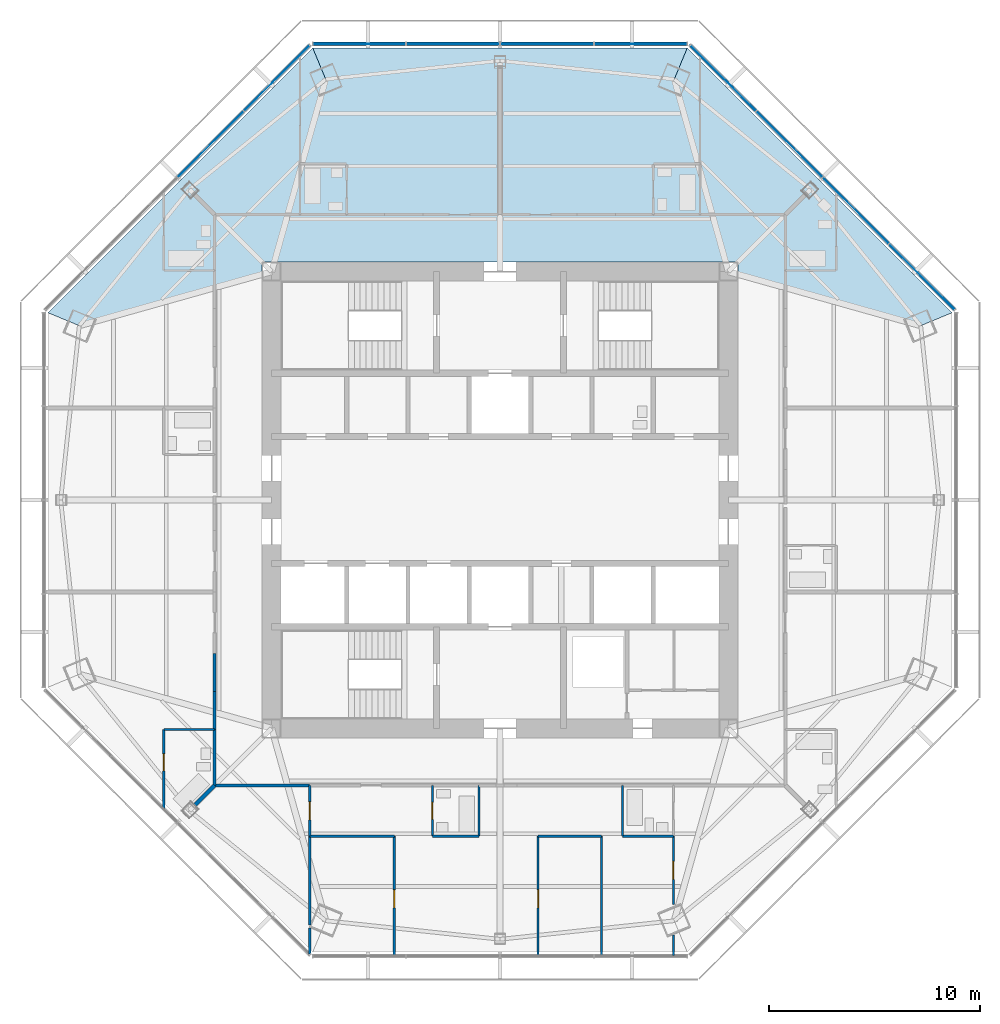
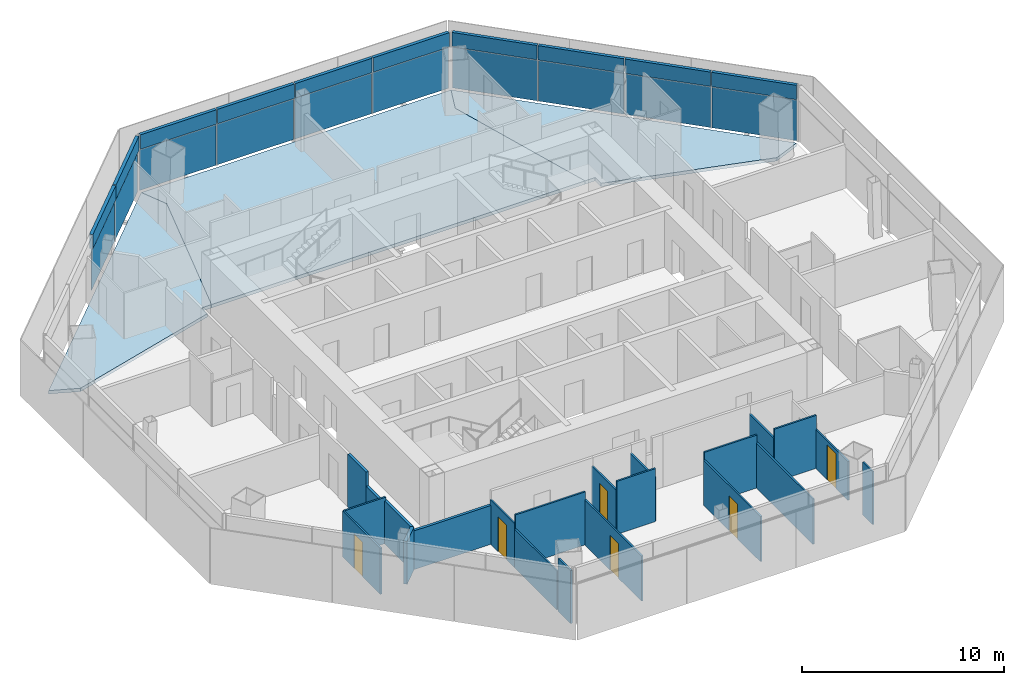
# One storey, part 8 of 15: 22 walls, 20 plates, 6 doors, 3 slabs, 6 openings, 3 elements without a shape of their own.
"""IFC4 building model written with IfcOpenShell, lengths in metres."""

from ifc_helpers import new_model, si_unit, direction, frame, frame_2d, origin, origin_2d, place, context, subcontext, project, spatial, polyline, rectangle, outline, extrude, source, transform, mapped, material, layer, layer_set, type_object, type_shapes, element, fill, aggregate, save


model = new_model("IFC4")

# Units and contexts
model_context = context("Model", 3, precision=1e-05, world=origin(), true_north=direction((0.0, 1.0)))
body_context = subcontext(model_context, "Body", "Model", "MODEL_VIEW")
ifc_project = project(units=[si_unit("LENGTHUNIT", "METRE"), si_unit("AREAUNIT", "SQUARE_METRE"), si_unit("VOLUMEUNIT", "CUBIC_METRE"), si_unit("PLANEANGLEUNIT", "RADIAN"), si_unit("MASSUNIT", "GRAM", prefix="KILO")], contexts=[model_context])

# Site, building, storey
site_placement = place(None, origin())
site = spatial("IfcSite", under=ifc_project, at=site_placement, CompositionType="ELEMENT")
building_placement = place(site_placement, origin())
building = spatial("IfcBuilding", under=site, at=building_placement, Name="Mashrafa Tower", CompositionType="ELEMENT")
storey_placement = place(building_placement, frame((0.0, 0.0, 227.800048828125)))
storey = spatial("IfcBuildingStorey", under=building, at=storey_placement, Name="L53", CompositionType="ELEMENT", Elevation=227.800048828125)

# Slabs
ifc_material_1 = material(Name="Concrete C35/45", Category="concrete")
ifc_layer_1 = layer(ifc_material_1, 0.199951171875)
ifc_layer_set_1 = layer_set([ifc_layer_1], Name="Floor slab 200")
slab_type = type_object("IfcSlabType", Name="Floor slab 200", PredefinedType="FLOOR", material=ifc_layer_set_1)
slab_1_placement = place(storey_placement, frame((0.0, 0.0, -0.199951171875)))
element("IfcSlab", 1, at=slab_1_placement, inside=storey, type_object=slab_type, Name="Floor slab L53 north-east bay", PredefinedType="FLOOR", context=body_context, shape_type="SweptSolid", body=[
    extrude(outline(polyline([(8.85205078125, 21.37060546875), (21.37060546875, 8.85205078125), (21.37060546875, 8.85205078125), (19.89794921875, 8.241943359375), (11.25, 10.673583984375), (11.25, 11.25), (10.673583984375, 11.25), (8.241943359375, 19.89794921875), (8.85205078125, 21.37060546875), (8.85205078125, 21.37060546875)])), origin(), (0.0, 0.0, 1.0), 0.199951171875),
])
slab_2_placement = place(storey_placement, frame((0.0, 0.0, -0.199951171875)))
element("IfcSlab", 2, at=slab_2_placement, inside=storey, type_object=slab_type, Name="Floor slab L53 north bay", PredefinedType="FLOOR", context=body_context, shape_type="SweptSolid", body=[
    extrude(outline(polyline([(8.85205078125, 21.37060546875), (8.241943359375, 19.89794921875), (10.673583984375, 11.25), (-10.673583984375, 11.25), (-8.241943359375, 19.89794921875), (-8.85205078125, 21.37060546875), (8.85205078125, 21.37060546875)])), origin(), (0.0, 0.0, 1.0), 0.199951171875),
])
slab_3_placement = place(storey_placement, frame((0.0, 0.0, -0.199951171875)))
element("IfcSlab", 3, at=slab_3_placement, inside=storey, type_object=slab_type, Name="Floor slab L53 north-west bay", PredefinedType="FLOOR", context=body_context, shape_type="SweptSolid", body=[
    extrude(outline(polyline([(-21.37060546875, 8.85205078125), (-8.85205078125, 21.37060546875), (-8.85205078125, 21.37060546875), (-8.241943359375, 19.89794921875), (-10.673583984375, 11.25), (-11.25, 11.25), (-11.25, 10.673583984375), (-19.89794921875, 8.241943359375), (-21.37060546875, 8.85205078125), (-21.37060546875, 8.85205078125)])), origin(), (0.0, 0.0, 1.0), 0.199951171875),
])

# Curtain wall, plates
ifc_material_2 = material(Name="Unitised aluminium curtain wall", Category="aluminium")
curtain_wall_type = type_object("IfcCurtainWallType", Name="Apartment curtain wall, zone 3 CW-C 180 deep", PredefinedType="NOTDEFINED", material=ifc_material_2)
curtain_wall_1_placement = place(storey_placement, origin())
curtain_wall_1 = element("IfcCurtainWall", 4, at=curtain_wall_1_placement, inside=storey, type_object=curtain_wall_type, Name="Apartment curtain wall, zone 3 L53 north-east", PredefinedType="NOTDEFINED")
ifc_material_3 = material(Name="Insulated double glazing, acoustic", Category="glass")
ifc_layer_2 = layer(ifc_material_3, 0.028076171875)
ifc_layer_set_2 = layer_set([ifc_layer_2], Name="Vision panel CW-C 28")
plate_type_1 = type_object("IfcPlateType", Name="Vision panel CW-C 28", PredefinedType="CURTAIN_PANEL", material=ifc_layer_set_2)
shared_shape_1 = source(origin(), body_context, "Body", "SweptSolid", [
    extrude(rectangle(XDim=4.353759765625, YDim=0.028076171875, at=origin_2d()), origin(), (0.0, 0.0, 1.0), 2.46240234375),
])
plate_1_placement = place(storey_placement, frame((19.955322265625, 10.550048828125, 0.0), z_axis=(0.0, 0.0, 1.0), x_axis=(-0.707106781187, 0.707106781187, 0.0)))
plate_1 = element("IfcPlate", 5, at=plate_1_placement, type_object=plate_type_1, Name="CW-C vision panel 1", PredefinedType="CURTAIN_PANEL", context=body_context, shape_type="MappedRepresentation", body=[
    mapped(shared_shape_1, transform((0.0, 0.0, 0.0))),
])
plate_2_placement = place(storey_placement, frame((10.550048828125, 19.955322265625, 0.0), z_axis=(0.0, 0.0, 1.0), x_axis=(-0.707106781187, 0.707106781187, 0.0)))
plate_2 = element("IfcPlate", 6, at=plate_2_placement, type_object=plate_type_1, Name="CW-C vision panel 4", PredefinedType="CURTAIN_PANEL", context=body_context, shape_type="MappedRepresentation", body=[
    mapped(shared_shape_1, transform((0.0, 0.0, 0.0))),
])

curtain_wall_2_placement = place(storey_placement, origin())
curtain_wall_2 = element("IfcCurtainWall", 7, at=curtain_wall_2_placement, inside=storey, type_object=curtain_wall_type, Name="Apartment curtain wall, zone 3 L53 north", PredefinedType="NOTDEFINED")
plate_3_placement = place(storey_placement, frame((6.650634765625, 21.570556640625, 0.0), z_axis=(0.0, 0.0, 1.0), x_axis=(-1.0, 0.0, 0.0)))
plate_3 = element("IfcPlate", 8, at=plate_3_placement, type_object=plate_type_1, Name="CW-C vision panel 1", PredefinedType="CURTAIN_PANEL", context=body_context, shape_type="MappedRepresentation", body=[
    mapped(shared_shape_1, transform((0.0, 0.0, 0.0))),
])
plate_4_placement = place(storey_placement, frame((-6.650634765625, 21.570556640625, 0.0), z_axis=(0.0, 0.0, 1.0), x_axis=(-1.0, 0.0, 0.0)))
plate_4 = element("IfcPlate", 9, at=plate_4_placement, type_object=plate_type_1, Name="CW-C vision panel 4", PredefinedType="CURTAIN_PANEL", context=body_context, shape_type="MappedRepresentation", body=[
    mapped(shared_shape_1, transform((0.0, 0.0, 0.0))),
])

# Curtain wall, plate
curtain_wall_3_placement = place(storey_placement, origin())
curtain_wall_3 = element("IfcCurtainWall", 10, at=curtain_wall_3_placement, inside=storey, type_object=curtain_wall_type, Name="Apartment curtain wall, zone 3 L53 north-west", PredefinedType="NOTDEFINED")
plate_5_placement = place(storey_placement, frame((-10.550048828125, 19.955322265625, 0.0), z_axis=(0.0, 0.0, 1.0), x_axis=(-0.707106781187, -0.707106781187, 0.0)))
plate_5 = element("IfcPlate", 11, at=plate_5_placement, type_object=plate_type_1, Name="CW-C vision panel 1", PredefinedType="CURTAIN_PANEL", context=body_context, shape_type="MappedRepresentation", body=[
    mapped(shared_shape_1, transform((0.0, 0.0, 0.0))),
])

# Plate
ifc_material_4 = material(Name="Insulated bronze aluminium spandrel panel", Category="aluminium")
ifc_layer_3 = layer(ifc_material_4, 0.179931640625)
ifc_layer_set_3 = layer_set([ifc_layer_3], Name="Spandrel panel CW-C 180")
plate_type_2 = type_object("IfcPlateType", Name="Spandrel panel CW-C 180", PredefinedType="CURTAIN_PANEL", material=ifc_layer_set_3)
shared_shape_2 = source(origin(), body_context, "Body", "SweptSolid", [
    extrude(rectangle(XDim=4.353759765625, YDim=0.179931640625, at=origin_2d()), origin(), (0.0, 0.0, 1.0), 0.862548828125),
])
plate_6_placement = place(storey_placement, frame((19.955322265625, 10.550048828125, 2.53759765625), z_axis=(0.0, 0.0, 1.0), x_axis=(-0.707106781187, 0.707106781187, 0.0)))
plate_6 = element("IfcPlate", 12, at=plate_6_placement, type_object=plate_type_2, Name="CW-C spandrel panel 1", PredefinedType="CURTAIN_PANEL", context=body_context, shape_type="MappedRepresentation", body=[
    mapped(shared_shape_2, transform((0.0, 0.0, 0.0))),
])

plate_7_placement = place(storey_placement, frame((10.550048828125, 19.955322265625, 2.53759765625), z_axis=(0.0, 0.0, 1.0), x_axis=(-0.707106781187, 0.707106781187, 0.0)))
plate_7 = element("IfcPlate", 13, at=plate_7_placement, type_object=plate_type_2, Name="CW-C spandrel panel 4", PredefinedType="CURTAIN_PANEL", context=body_context, shape_type="MappedRepresentation", body=[
    mapped(shared_shape_2, transform((0.0, 0.0, 0.0))),
])

plate_8_placement = place(storey_placement, frame((6.650634765625, 21.570556640625, 2.53759765625), z_axis=(0.0, 0.0, 1.0), x_axis=(-1.0, 0.0, 0.0)))
plate_8 = element("IfcPlate", 14, at=plate_8_placement, type_object=plate_type_2, Name="CW-C spandrel panel 1", PredefinedType="CURTAIN_PANEL", context=body_context, shape_type="MappedRepresentation", body=[
    mapped(shared_shape_2, transform((0.0, 0.0, 0.0))),
])

plate_9_placement = place(storey_placement, frame((-6.650634765625, 21.570556640625, 2.53759765625), z_axis=(0.0, 0.0, 1.0), x_axis=(-1.0, 0.0, 0.0)))
plate_9 = element("IfcPlate", 15, at=plate_9_placement, type_object=plate_type_2, Name="CW-C spandrel panel 4", PredefinedType="CURTAIN_PANEL", context=body_context, shape_type="MappedRepresentation", body=[
    mapped(shared_shape_2, transform((0.0, 0.0, 0.0))),
])

plate_10_placement = place(storey_placement, frame((-10.550048828125, 19.955322265625, 2.53759765625), z_axis=(0.0, 0.0, 1.0), x_axis=(-0.707106781187, -0.707106781187, 0.0)))
plate_10 = element("IfcPlate", 16, at=plate_10_placement, type_object=plate_type_2, Name="CW-C spandrel panel 1", PredefinedType="CURTAIN_PANEL", context=body_context, shape_type="MappedRepresentation", body=[
    mapped(shared_shape_2, transform((0.0, 0.0, 0.0))),
])

shared_shape_3 = source(origin(), body_context, "Body", "SweptSolid", [
    extrude(rectangle(XDim=4.3837890625, YDim=0.028076171875, at=origin_2d()), origin(), (0.0, 0.0, 1.0), 2.46240234375),
])
type_shapes(plate_type_1, [shared_shape_1, shared_shape_3])
plate_11_placement = place(storey_placement, frame((16.82373046875, 13.681640625, 0.0), z_axis=(0.0, 0.0, 1.0), x_axis=(-0.707106781187, 0.707106781187, 0.0)))
plate_11 = element("IfcPlate", 17, at=plate_11_placement, type_object=plate_type_1, Name="CW-C vision panel 2", PredefinedType="CURTAIN_PANEL", context=body_context, shape_type="MappedRepresentation", body=[
    mapped(shared_shape_3, transform((0.0, 0.0, 0.0))),
])

plate_12_placement = place(storey_placement, frame((13.681640625, 16.82373046875, 0.0), z_axis=(0.0, 0.0, 1.0), x_axis=(-0.707106781187, 0.707106781187, 0.0)))
plate_12 = element("IfcPlate", 18, at=plate_12_placement, type_object=plate_type_1, Name="CW-C vision panel 3", PredefinedType="CURTAIN_PANEL", context=body_context, shape_type="MappedRepresentation", body=[
    mapped(shared_shape_3, transform((0.0, 0.0, 0.0))),
])

plate_13_placement = place(storey_placement, frame((2.221923828125, 21.570556640625, 0.0), z_axis=(0.0, 0.0, 1.0), x_axis=(-1.0, 0.0, 0.0)))
plate_13 = element("IfcPlate", 19, at=plate_13_placement, type_object=plate_type_1, Name="CW-C vision panel 2", PredefinedType="CURTAIN_PANEL", context=body_context, shape_type="MappedRepresentation", body=[
    mapped(shared_shape_3, transform((0.0, 0.0, 0.0))),
])

plate_14_placement = place(storey_placement, frame((-2.221923828125, 21.570556640625, 0.0), z_axis=(0.0, 0.0, 1.0), x_axis=(-1.0, 0.0, 0.0)))
plate_14 = element("IfcPlate", 20, at=plate_14_placement, type_object=plate_type_1, Name="CW-C vision panel 3", PredefinedType="CURTAIN_PANEL", context=body_context, shape_type="MappedRepresentation", body=[
    mapped(shared_shape_3, transform((0.0, 0.0, 0.0))),
])

plate_15_placement = place(storey_placement, frame((-13.681640625, 16.82373046875, 0.0), z_axis=(0.0, 0.0, 1.0), x_axis=(-0.707106781187, -0.707106781187, 0.0)))
plate_15 = element("IfcPlate", 21, at=plate_15_placement, type_object=plate_type_1, Name="CW-C vision panel 2", PredefinedType="CURTAIN_PANEL", context=body_context, shape_type="MappedRepresentation", body=[
    mapped(shared_shape_3, transform((0.0, 0.0, 0.0))),
])

shared_shape_4 = source(origin(), body_context, "Body", "SweptSolid", [
    extrude(rectangle(XDim=4.3837890625, YDim=0.179931640625, at=origin_2d()), origin(), (0.0, 0.0, 1.0), 0.862548828125),
])
type_shapes(plate_type_2, [shared_shape_2, shared_shape_4])
plate_16_placement = place(storey_placement, frame((16.82373046875, 13.681640625, 2.53759765625), z_axis=(0.0, 0.0, 1.0), x_axis=(-0.707106781187, 0.707106781187, 0.0)))
plate_16 = element("IfcPlate", 22, at=plate_16_placement, type_object=plate_type_2, Name="CW-C spandrel panel 2", PredefinedType="CURTAIN_PANEL", context=body_context, shape_type="MappedRepresentation", body=[
    mapped(shared_shape_4, transform((0.0, 0.0, 0.0))),
])

plate_17_placement = place(storey_placement, frame((13.681640625, 16.82373046875, 2.53759765625), z_axis=(0.0, 0.0, 1.0), x_axis=(-0.707106781187, 0.707106781187, 0.0)))
plate_17 = element("IfcPlate", 23, at=plate_17_placement, type_object=plate_type_2, Name="CW-C spandrel panel 3", PredefinedType="CURTAIN_PANEL", context=body_context, shape_type="MappedRepresentation", body=[
    mapped(shared_shape_4, transform((0.0, 0.0, 0.0))),
])

aggregate(curtain_wall_1, [plate_1, plate_6, plate_11, plate_16, plate_12, plate_17, plate_2, plate_7])

plate_18_placement = place(storey_placement, frame((2.221923828125, 21.570556640625, 2.53759765625), z_axis=(0.0, 0.0, 1.0), x_axis=(-1.0, 0.0, 0.0)))
plate_18 = element("IfcPlate", 24, at=plate_18_placement, type_object=plate_type_2, Name="CW-C spandrel panel 2", PredefinedType="CURTAIN_PANEL", context=body_context, shape_type="MappedRepresentation", body=[
    mapped(shared_shape_4, transform((0.0, 0.0, 0.0))),
])

plate_19_placement = place(storey_placement, frame((-2.221923828125, 21.570556640625, 2.53759765625), z_axis=(0.0, 0.0, 1.0), x_axis=(-1.0, 0.0, 0.0)))
plate_19 = element("IfcPlate", 25, at=plate_19_placement, type_object=plate_type_2, Name="CW-C spandrel panel 3", PredefinedType="CURTAIN_PANEL", context=body_context, shape_type="MappedRepresentation", body=[
    mapped(shared_shape_4, transform((0.0, 0.0, 0.0))),
])

aggregate(curtain_wall_2, [plate_3, plate_8, plate_13, plate_18, plate_14, plate_19, plate_4, plate_9])

plate_20_placement = place(storey_placement, frame((-13.681640625, 16.82373046875, 2.53759765625), z_axis=(0.0, 0.0, 1.0), x_axis=(-0.707106781187, -0.707106781187, 0.0)))
plate_20 = element("IfcPlate", 26, at=plate_20_placement, type_object=plate_type_2, Name="CW-C spandrel panel 2", PredefinedType="CURTAIN_PANEL", context=body_context, shape_type="MappedRepresentation", body=[
    mapped(shared_shape_4, transform((0.0, 0.0, 0.0))),
])

aggregate(curtain_wall_3, [plate_5, plate_10, plate_15, plate_20])

# Walls
ifc_material_5 = material(Name="Gypsum board on steel studs", Category="steel")
ifc_layer_4 = layer(ifc_material_5, 0.199951171875)
ifc_layer_set_4 = layer_set([ifc_layer_4], Name="Acoustic partition 200 1 hr")
wall_type_1 = type_object("IfcWallType", Name="Acoustic partition 200 1 hr", PredefinedType="PARTITIONING", material=ifc_layer_set_4)
wall_1_placement = place(storey_placement, frame((-14.4287109375, -14.4287109375, 0.0), z_axis=(0.0, 0.0, 1.0), x_axis=(0.707106781187, 0.707106781187, 0.0)))
element("IfcWall", 27, at=wall_1_placement, inside=storey, type_object=wall_type_1, Name="Acoustic wall L53-076", PredefinedType="PARTITIONING", context=body_context, shape_type="SweptSolid", body=[
    extrude(rectangle(XDim=1.3134765625, YDim=0.199951171875, at=frame_2d((0.65673828125, 0.0))), origin(), (0.0, 0.0, 1.0), 2.582763671875),
])
ifc_material_6 = material(Name="Gypsum board on steel studs", Category="steel")
ifc_layer_5 = layer(ifc_material_6, 0.14990234375)
ifc_layer_set_5 = layer_set([ifc_layer_5], Name="Corridor partition 150 1 hr")
wall_type_2 = type_object("IfcWallType", Name="Corridor partition 150 1 hr", PredefinedType="PARTITIONING", material=ifc_layer_set_5)
wall_2_placement = place(storey_placement, frame((-13.5, -10.84912109375, 0.0), z_axis=(0.0, 0.0, 1.0), x_axis=(0.0, -1.0, 0.0)))
element("IfcWall", 28, at=wall_2_placement, inside=storey, type_object=wall_type_2, Name="Corridor wall L53-033", PredefinedType="PARTITIONING", context=body_context, shape_type="SweptSolid", body=[
    extrude(rectangle(XDim=2.65087890625, YDim=0.14990234375, at=frame_2d((1.325439453125, 0.0))), origin(), (0.0, 0.0, 1.0), 2.582763671875),
])
wall_3_placement = place(storey_placement, frame((-13.5, -7.2490234375, 0.0), z_axis=(0.0, 0.0, 1.0), x_axis=(0.0, -1.0, 0.0)))
element("IfcWall", 29, at=wall_3_placement, inside=storey, type_object=wall_type_2, Name="Corridor wall L53-034", PredefinedType="PARTITIONING", context=body_context, shape_type="SweptSolid", body=[
    extrude(rectangle(XDim=1.802001953125, YDim=0.14990234375, at=frame_2d((0.90087890625, 0.0))), origin(), (0.0, 0.0, 1.0), 3.199951171875),
])
wall_4_placement = place(storey_placement, frame((-13.5, -9.049072265625, 0.0), z_axis=(0.0, 0.0, 1.0), x_axis=(0.0, -1.0, 0.0)))
element("IfcWall", 30, at=wall_4_placement, inside=storey, type_object=wall_type_2, Name="Corridor wall L53-035", PredefinedType="PARTITIONING", context=body_context, shape_type="SweptSolid", body=[
    extrude(rectangle(XDim=1.802001953125, YDim=0.14990234375, at=frame_2d((0.90087890625, 0.0))), origin(), (0.0, 0.0, 1.0), 2.34423828125),
])
wall_5_placement = place(storey_placement, frame((-13.5, -13.5, 0.0), z_axis=(0.0, 0.0, 1.0), x_axis=(1.0, 0.0, 0.0)))
element("IfcWall", 31, at=wall_5_placement, inside=storey, type_object=wall_type_2, Name="Corridor wall L53-037", PredefinedType="PARTITIONING", context=body_context, shape_type="SweptSolid", body=[
    extrude(rectangle(XDim=4.5009765625, YDim=0.14990234375, at=frame_2d((2.25048828125, 0.0))), origin(), (0.0, 0.0, 1.0), 2.34423828125),
])
ifc_material_7 = material(Name="Gypsum board on steel studs", Category="steel")
ifc_layer_6 = layer(ifc_material_7, 0.10009765625)
ifc_layer_set_6 = layer_set([ifc_layer_6], Name="Partition 100")
wall_type_3 = type_object("IfcWallType", Name="Partition 100", PredefinedType="PARTITIONING", material=ifc_layer_set_6)
wall_6_placement = place(storey_placement, frame((-13.5, -10.85009765625, 0.0), z_axis=(0.0, 0.0, 1.0), x_axis=(-1.0, 0.0, 0.0)))
element("IfcWall", 32, at=wall_6_placement, inside=storey, type_object=wall_type_3, Name="Partition wall L53-074", PredefinedType="PARTITIONING", context=body_context, shape_type="SweptSolid", body=[
    extrude(rectangle(XDim=2.39990234375, YDim=0.10009765625, at=frame_2d((1.199951171875, 0.0))), origin(), (0.0, 0.0, 1.0), 2.7861328125),
])

# Wall, opening, door
wall_7_placement = place(storey_placement, frame((-15.89990234375, -10.85009765625, 0.0), z_axis=(0.0, 0.0, 1.0), x_axis=(0.0, -1.0, 0.0)))
wall_7 = element("IfcWall", 33, at=wall_7_placement, inside=storey, type_object=wall_type_3, Name="Partition wall L53-075", PredefinedType="PARTITIONING", context=body_context, shape_type="SweptSolid", body=[
    extrude(rectangle(XDim=3.7333984375, YDim=0.10009765625, at=frame_2d((1.86669921875, 0.0))), origin(), (0.0, 0.0, 1.0), 2.783447265625),
])
opening_1_placement = place(wall_7_placement, frame((1.159423828125, 0.0, 0.0)))
opening_1 = element("IfcOpeningElement", 34, at=opening_1_placement, cuts=wall_7, Name="Opening 53.017", PredefinedType="OPENING", context=body_context, shape_type="SweptSolid", body=[
    extrude(rectangle(XDim=0.800048828125, YDim=2.10009765625, at=frame_2d((0.39990234375, 1.050048828125))), frame((0.0, 0.06005859375, 0.0), z_axis=(0.0, -1.0, 0.0), x_axis=(1.0, 0.0, 0.0)), (0.0, 0.0, 1.0), 0.1201171875),
])
ifc_material_8 = material(Name="Timber door", Category="wood")
door_type_1 = type_object("IfcDoorType", Name="Bathroom door 800 x 2100", OperationType="USERDEFINED", PredefinedType="DOOR", material=ifc_material_8)
door_1_placement = place(opening_1_placement, origin())
door_1 = element("IfcDoor", 35, at=door_1_placement, inside=storey, type_object=door_type_1, Name="Apartment 5308 Bathroom door", OperationType="SINGLE_SWING_LEFT", OverallHeight=2.10009765625, OverallWidth=0.800048828125, PredefinedType="DOOR", context=body_context, shape_type="SweptSolid", body=[
    extrude(rectangle(XDim=0.800048828125, YDim=2.10009765625, at=frame_2d((0.39990234375, 1.050048828125))), frame((0.0, 0.02490234375, 0.0), z_axis=(0.0, -1.0, 0.0), x_axis=(1.0, 0.0, 0.0)), (0.0, 0.0, 1.0), 0.050048828125),
])
fill(opening_1, door_1)

# Walls
wall_8_placement = place(storey_placement, frame((-9.0, -21.47998046875, 0.0), z_axis=(0.0, 0.0, 1.0), x_axis=(0.0, 1.0, 0.0)))
element("IfcWall", 36, at=wall_8_placement, inside=storey, type_object=wall_type_3, Name="Partition wall L53-077", PredefinedType="PARTITIONING", context=body_context, shape_type="SweptSolid", body=[
    extrude(rectangle(XDim=1.232177734375, YDim=0.10009765625, at=frame_2d((0.6162109375, 0.0))), origin(), (0.0, 0.0, 1.0), 3.199951171875),
])
wall_9_placement = place(storey_placement, frame((-9.0, -20.1103515625, 0.0), z_axis=(0.0, 0.0, 1.0), x_axis=(0.0, 1.0, 0.0)))
element("IfcWall", 37, at=wall_9_placement, inside=storey, type_object=wall_type_3, Name="Partition wall L53-078", PredefinedType="PARTITIONING", context=body_context, shape_type="SweptSolid", body=[
    extrude(rectangle(XDim=4.21142578125, YDim=0.10009765625, at=frame_2d((2.105712890625, 0.0))), origin(), (0.0, 0.0, 1.0), 2.34423828125),
])

# Wall, opening, door
wall_10_placement = place(storey_placement, frame((-9.0, -15.90087890625, 0.0), z_axis=(0.0, 0.0, 1.0), x_axis=(0.0, 1.0, 0.0)))
wall_10 = element("IfcWall", 38, at=wall_10_placement, inside=storey, type_object=wall_type_3, Name="Partition wall L53-079", PredefinedType="PARTITIONING", context=body_context, shape_type="SweptSolid", body=[
    extrude(rectangle(XDim=2.40087890625, YDim=0.10009765625, at=frame_2d((1.200439453125, 0.0))), origin(), (0.0, 0.0, 1.0), 2.6640625),
])
opening_2_placement = place(wall_10_placement, frame((0.775390625, 0.0, 0.0)))
opening_2 = element("IfcOpeningElement", 39, at=opening_2_placement, cuts=wall_10, Name="Opening 53.019", PredefinedType="OPENING", context=body_context, shape_type="SweptSolid", body=[
    extrude(rectangle(XDim=0.85009765625, YDim=2.10009765625, at=frame_2d((0.425048828125, 1.050048828125))), frame((0.0, 0.06005859375, 0.0), z_axis=(0.0, -1.0, 0.0), x_axis=(1.0, 0.0, 0.0)), (0.0, 0.0, 1.0), 0.1201171875),
])
ifc_material_9 = material(Name="Timber door", Category="wood")
door_type_2 = type_object("IfcDoorType", Name="Bedroom door 850 x 2100", OperationType="USERDEFINED", PredefinedType="DOOR", material=ifc_material_9)
door_2_placement = place(opening_2_placement, origin())
door_2 = element("IfcDoor", 40, at=door_2_placement, inside=storey, type_object=door_type_2, Name="Apartment 5309 Bedroom 1 door", OperationType="SINGLE_SWING_RIGHT", OverallHeight=2.10009765625, OverallWidth=0.85009765625, PredefinedType="DOOR", context=body_context, shape_type="SweptSolid", body=[
    extrude(rectangle(XDim=0.85009765625, YDim=2.10009765625, at=frame_2d((0.425048828125, 1.050048828125))), frame((0.0, 0.02490234375, 0.0), z_axis=(0.0, -1.0, 0.0), x_axis=(1.0, 0.0, 0.0)), (0.0, 0.0, 1.0), 0.050048828125),
])
fill(opening_2, door_2)

wall_11_placement = place(storey_placement, frame((-5.0, -21.5546875, 0.0), z_axis=(0.0, 0.0, 1.0), x_axis=(0.0, 1.0, 0.0)))
wall_11 = element("IfcWall", 41, at=wall_11_placement, inside=storey, type_object=wall_type_3, Name="Partition wall L53-080", PredefinedType="PARTITIONING", context=body_context, shape_type="SweptSolid", body=[
    extrude(rectangle(XDim=5.65478515625, YDim=0.10009765625, at=frame_2d((2.827392578125, 0.0))), origin(), (0.0, 0.0, 1.0), 2.730224609375),
])
opening_3_placement = place(wall_11_placement, frame((2.264404296875, 0.0, 0.0)))
opening_3 = element("IfcOpeningElement", 42, at=opening_3_placement, cuts=wall_11, Name="Opening 53.020", PredefinedType="OPENING", context=body_context, shape_type="SweptSolid", body=[
    extrude(rectangle(XDim=0.85009765625, YDim=2.10009765625, at=frame_2d((0.425048828125, 1.050048828125))), frame((0.0, 0.06005859375, 0.0), z_axis=(0.0, -1.0, 0.0), x_axis=(1.0, 0.0, 0.0)), (0.0, 0.0, 1.0), 0.1201171875),
])
door_3_placement = place(opening_3_placement, origin())
door_3 = element("IfcDoor", 43, at=door_3_placement, inside=storey, type_object=door_type_2, Name="Apartment 5309 Bedroom 2 door", OperationType="SINGLE_SWING_LEFT", OverallHeight=2.10009765625, OverallWidth=0.85009765625, PredefinedType="DOOR", context=body_context, shape_type="SweptSolid", body=[
    extrude(rectangle(XDim=0.85009765625, YDim=2.10009765625, at=frame_2d((0.425048828125, 1.050048828125))), frame((0.0, 0.02490234375, 0.0), z_axis=(0.0, -1.0, 0.0), x_axis=(1.0, 0.0, 0.0)), (0.0, 0.0, 1.0), 0.050048828125),
])
fill(opening_3, door_3)

# Walls
wall_12_placement = place(storey_placement, frame((-5.0, -15.89990234375, 0.0), z_axis=(0.0, 0.0, 1.0), x_axis=(-1.0, 0.0, 0.0)))
element("IfcWall", 44, at=wall_12_placement, inside=storey, type_object=wall_type_3, Name="Partition wall L53-081", PredefinedType="PARTITIONING", context=body_context, shape_type="SweptSolid", body=[
    extrude(rectangle(XDim=4.0, YDim=0.10009765625, at=frame_2d((2.0, 0.0))), origin(), (0.0, 0.0, 1.0), 3.199951171875),
])
wall_13_placement = place(storey_placement, frame((-1.0, -15.89990234375, 0.0), z_axis=(0.0, 0.0, 1.0), x_axis=(0.0, 1.0, 0.0)))
element("IfcWall", 45, at=wall_13_placement, inside=storey, type_object=wall_type_3, Name="Partition wall L53-082", PredefinedType="PARTITIONING", context=body_context, shape_type="SweptSolid", body=[
    extrude(rectangle(XDim=2.39990234375, YDim=0.10009765625, at=frame_2d((1.199951171875, 0.0))), origin(), (0.0, 0.0, 1.0), 2.6640625),
])

# Wall, opening, door
wall_14_placement = place(storey_placement, frame((-3.199951171875, -13.5, 0.0), z_axis=(0.0, 0.0, 1.0), x_axis=(0.0, -1.0, 0.0)))
wall_14 = element("IfcWall", 46, at=wall_14_placement, inside=storey, type_object=wall_type_3, Name="Partition wall L53-083", PredefinedType="PARTITIONING", context=body_context, shape_type="SweptSolid", body=[
    extrude(rectangle(XDim=2.39990234375, YDim=0.10009765625, at=frame_2d((1.199951171875, 0.0))), origin(), (0.0, 0.0, 1.0), 2.6640625),
])
opening_4_placement = place(wall_14_placement, frame((0.800048828125, 0.0, 0.0)))
opening_4 = element("IfcOpeningElement", 47, at=opening_4_placement, cuts=wall_14, Name="Opening 53.021", PredefinedType="OPENING", context=body_context, shape_type="SweptSolid", body=[
    extrude(rectangle(XDim=0.800048828125, YDim=2.10009765625, at=frame_2d((0.39990234375, 1.050048828125))), frame((0.0, 0.06005859375, 0.0), z_axis=(0.0, -1.0, 0.0), x_axis=(1.0, 0.0, 0.0)), (0.0, 0.0, 1.0), 0.1201171875),
])
door_4_placement = place(opening_4_placement, origin())
door_4 = element("IfcDoor", 48, at=door_4_placement, inside=storey, type_object=door_type_1, Name="Apartment 5309 Bathroom door", OperationType="SINGLE_SWING_RIGHT", OverallHeight=2.10009765625, OverallWidth=0.800048828125, PredefinedType="DOOR", context=body_context, shape_type="SweptSolid", body=[
    extrude(rectangle(XDim=0.800048828125, YDim=2.10009765625, at=frame_2d((0.39990234375, 1.050048828125))), frame((0.0, 0.02490234375, 0.0), z_axis=(0.0, -1.0, 0.0), x_axis=(1.0, 0.0, 0.0)), (0.0, 0.0, 1.0), 0.050048828125),
])
fill(opening_4, door_4)

# Walls
wall_15_placement = place(storey_placement, frame((-3.199951171875, -15.89990234375, 0.0), z_axis=(0.0, 0.0, 1.0), x_axis=(1.0, 0.0, 0.0)))
element("IfcWall", 49, at=wall_15_placement, inside=storey, type_object=wall_type_3, Name="Partition wall L53-084", PredefinedType="PARTITIONING", context=body_context, shape_type="SweptSolid", body=[
    extrude(rectangle(XDim=2.199951171875, YDim=0.10009765625, at=frame_2d((1.10009765625, 0.0))), origin(), (0.0, 0.0, 1.0), 3.199951171875),
])
wall_16_placement = place(storey_placement, frame((5.800048828125, -13.5, 0.0), z_axis=(0.0, 0.0, 1.0), x_axis=(0.0, -1.0, 0.0)))
element("IfcWall", 50, at=wall_16_placement, inside=storey, type_object=wall_type_3, Name="Partition wall L53-086", PredefinedType="PARTITIONING", context=body_context, shape_type="SweptSolid", body=[
    extrude(rectangle(XDim=2.39990234375, YDim=0.10009765625, at=frame_2d((1.199951171875, 0.0))), origin(), (0.0, 0.0, 1.0), 2.6640625),
])
wall_17_placement = place(storey_placement, frame((5.800048828125, -15.89990234375, 0.0), z_axis=(0.0, 0.0, 1.0), x_axis=(1.0, 0.0, 0.0)))
element("IfcWall", 51, at=wall_17_placement, inside=storey, type_object=wall_type_3, Name="Partition wall L53-087", PredefinedType="PARTITIONING", context=body_context, shape_type="SweptSolid", body=[
    extrude(rectangle(XDim=2.39990234375, YDim=0.10009765625, at=frame_2d((1.199951171875, 0.0))), origin(), (0.0, 0.0, 1.0), 3.199951171875),
])

# Wall, opening, door
wall_18_placement = place(storey_placement, frame((8.199951171875, -15.89892578125, 0.0), z_axis=(0.0, 0.0, 1.0), x_axis=(0.0, -1.0, 0.0)))
wall_18 = element("IfcWall", 52, at=wall_18_placement, inside=storey, type_object=wall_type_3, Name="Partition wall L53-088", PredefinedType="PARTITIONING", context=body_context, shape_type="SweptSolid", body=[
    extrude(rectangle(XDim=3.226806640625, YDim=0.10009765625, at=frame_2d((1.61328125, 0.0))), origin(), (0.0, 0.0, 1.0), 2.34423828125),
])
opening_5_placement = place(wall_18_placement, frame((1.1884765625, 0.0, 0.0)))
opening_5 = element("IfcOpeningElement", 53, at=opening_5_placement, cuts=wall_18, Name="Opening 53.023", PredefinedType="OPENING", context=body_context, shape_type="SweptSolid", body=[
    extrude(rectangle(XDim=0.85009765625, YDim=2.10009765625, at=frame_2d((0.425048828125, 1.050048828125))), frame((0.0, 0.06005859375, 0.0), z_axis=(0.0, -1.0, 0.0), x_axis=(1.0, 0.0, 0.0)), (0.0, 0.0, 1.0), 0.1201171875),
])
door_5_placement = place(opening_5_placement, origin())
door_5 = element("IfcDoor", 54, at=door_5_placement, inside=storey, type_object=door_type_2, Name="Apartment 5309 Bedroom 3 door", OperationType="SINGLE_SWING_RIGHT", OverallHeight=2.10009765625, OverallWidth=0.85009765625, PredefinedType="DOOR", context=body_context, shape_type="SweptSolid", body=[
    extrude(rectangle(XDim=0.85009765625, YDim=2.10009765625, at=frame_2d((0.425048828125, 1.050048828125))), frame((0.0, 0.02490234375, 0.0), z_axis=(0.0, -1.0, 0.0), x_axis=(1.0, 0.0, 0.0)), (0.0, 0.0, 1.0), 0.050048828125),
])
fill(opening_5, door_5)

# Wall
wall_19_placement = place(storey_placement, frame((8.199951171875, -20.5791015625, 0.0), z_axis=(0.0, 0.0, 1.0), x_axis=(0.0, -1.0, 0.0)))
element("IfcWall", 55, at=wall_19_placement, inside=storey, type_object=wall_type_3, Name="Partition wall L53-089", PredefinedType="PARTITIONING", context=body_context, shape_type="SweptSolid", body=[
    extrude(rectangle(XDim=0.973388671875, YDim=0.10009765625, at=frame_2d((0.48681640625, 0.0))), origin(), (0.0, 0.0, 1.0), 3.199951171875),
])

# Wall, opening, door
wall_20_placement = place(storey_placement, frame((1.800048828125, -21.5546875, 0.0), z_axis=(0.0, 0.0, 1.0), x_axis=(0.0, 1.0, 0.0)))
wall_20 = element("IfcWall", 56, at=wall_20_placement, inside=storey, type_object=wall_type_3, Name="Partition wall L53-090", PredefinedType="PARTITIONING", context=body_context, shape_type="SweptSolid", body=[
    extrude(rectangle(XDim=5.65478515625, YDim=0.10009765625, at=frame_2d((2.827392578125, 0.0))), origin(), (0.0, 0.0, 1.0), 2.730224609375),
])
opening_6_placement = place(wall_20_placement, frame((2.264404296875, 0.0, 0.0)))
opening_6 = element("IfcOpeningElement", 57, at=opening_6_placement, cuts=wall_20, Name="Opening 53.025", PredefinedType="OPENING", context=body_context, shape_type="SweptSolid", body=[
    extrude(rectangle(XDim=0.85009765625, YDim=2.10009765625, at=frame_2d((0.425048828125, 1.050048828125))), frame((0.0, 0.06005859375, 0.0), z_axis=(0.0, -1.0, 0.0), x_axis=(1.0, 0.0, 0.0)), (0.0, 0.0, 1.0), 0.1201171875),
])
door_6_placement = place(opening_6_placement, frame((0.85009765625, 0.0, 0.0), z_axis=(0.0, 0.0, 1.0), x_axis=(-1.0, 0.0, 0.0)))
door_6 = element("IfcDoor", 58, at=door_6_placement, inside=storey, type_object=door_type_2, Name="Apartment 5309 Dining Room door", OperationType="SINGLE_SWING_RIGHT", OverallHeight=2.10009765625, OverallWidth=0.85009765625, PredefinedType="DOOR", context=body_context, shape_type="SweptSolid", body=[
    extrude(rectangle(XDim=0.85009765625, YDim=2.10009765625, at=frame_2d((0.425048828125, 1.050048828125))), frame((0.0, 0.02490234375, 0.0), z_axis=(0.0, -1.0, 0.0), x_axis=(1.0, 0.0, 0.0)), (0.0, 0.0, 1.0), 0.050048828125),
])
fill(opening_6, door_6)

# Walls
wall_21_placement = place(storey_placement, frame((1.800048828125, -15.89990234375, 0.0), z_axis=(0.0, 0.0, 1.0), x_axis=(1.0, 0.0, 0.0)))
element("IfcWall", 59, at=wall_21_placement, inside=storey, type_object=wall_type_3, Name="Partition wall L53-091", PredefinedType="PARTITIONING", context=body_context, shape_type="SweptSolid", body=[
    extrude(rectangle(XDim=3.0, YDim=0.10009765625, at=frame_2d((1.5, 0.0))), origin(), (0.0, 0.0, 1.0), 3.199951171875),
])
wall_22_placement = place(storey_placement, frame((4.800048828125, -15.89990234375, 0.0), z_axis=(0.0, 0.0, 1.0), x_axis=(0.0, -1.0, 0.0)))
element("IfcWall", 60, at=wall_22_placement, inside=storey, type_object=wall_type_3, Name="Partition wall L53-092", PredefinedType="PARTITIONING", context=body_context, shape_type="SweptSolid", body=[
    extrude(rectangle(XDim=5.652587890625, YDim=0.10009765625, at=frame_2d((2.826171875, 0.0))), origin(), (0.0, 0.0, 1.0), 2.730224609375),
])

save(model, "model.ifc")
